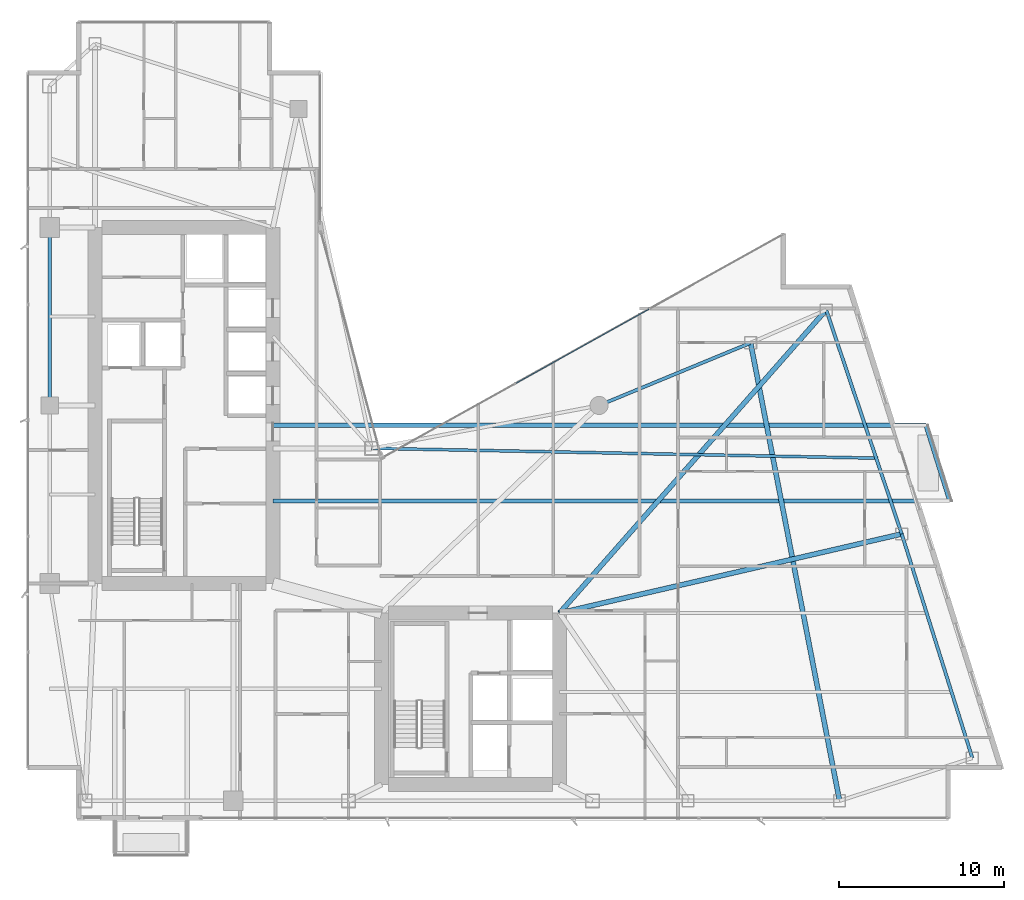
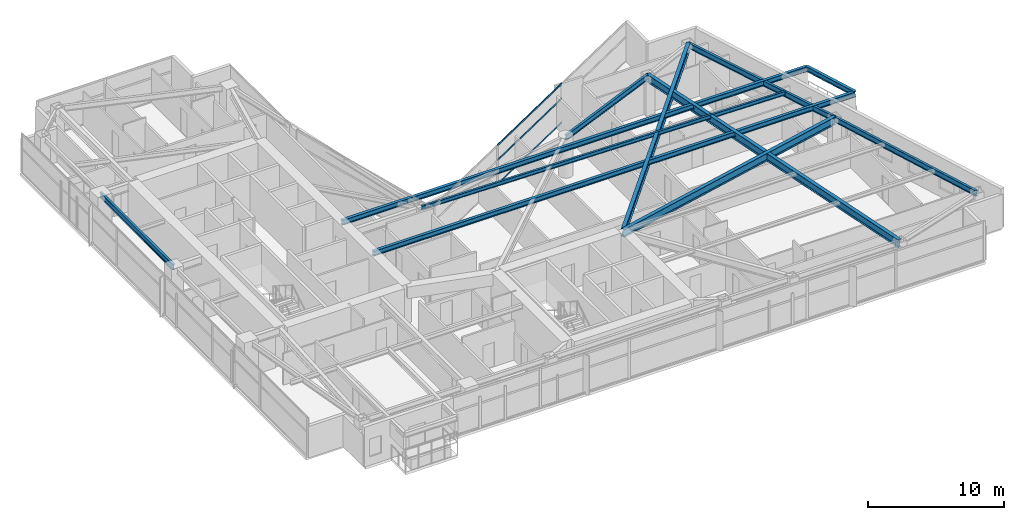
# One storey, part 15 of 28: 11 beams, 3 members, 1 element without a shape of its own.
"""IFC4 building model written with IfcOpenShell, lengths in metres."""

import ifcopenshell
import ifcopenshell.guid

model = None  # the IFC model being written
_history = None  # IfcOwnerHistory: only IFC2X3 demands one
_inside = {}  # id of a spatial element -> (the spatial element, [elements in it])
_under = {}  # id of a project, library or spatial element -> (it, [spatial elements below it])
_declared = {}  # id of a project -> (the project, [libraries it declares])
_typed = {}  # id of a type object -> (the type object, [elements of that type])
_made_of = {}  # id of a material, layer set ... -> (it, [elements and type objects made of it])


def new_model(schema):
    """Start an empty IFC model of exactly this schema.

    Asked for "IFC4X3", IfcOpenShell would pick the latest addendum, in which some entities
    have other attributes; the version numbers below select the first issue.
    IFC2X3 requires an IfcOwnerHistory on every rooted entity: one is made here for all.
    """
    global model, _history
    if schema == "IFC4X3":
        model = ifcopenshell.file(schema_version=(4, 3, 0, 0))
    else:
        model = ifcopenshell.file(schema=schema)
    _inside.clear()
    _under.clear()
    _declared.clear()
    _typed.clear()
    _made_of.clear()
    _history = None
    if model.schema == "IFC2X3":
        org = make("IfcOrganization", Name="unknown")
        user = make(
            "IfcPersonAndOrganization",
            ThePerson=make("IfcPerson", FamilyName="unknown"),
            TheOrganization=org,
        )
        app = make(
            "IfcApplication",
            ApplicationDeveloper=org,
            Version="unknown",
            ApplicationFullName="unknown",
            ApplicationIdentifier="unknown",
        )
        _history = make(
            "IfcOwnerHistory",
            OwningUser=user,
            OwningApplication=app,
            ChangeAction="ADDED",
            CreationDate=0,
        )
    return model


def make(cls, **values):
    """One entity of the class cls with the attributes given. An attribute that is None is left unset."""
    return model.create_entity(
        cls, **{name: value for name, value in values.items() if value is not None}
    )


def rooted(cls, **values):
    """An entity with a GlobalId (a new one), such as an element, a storey or a relation."""
    return make(cls, GlobalId=ifcopenshell.guid.new(), OwnerHistory=_history, **values)


def si_unit(unit_type, name, prefix=None):
    """IfcSIUnit, for example si_unit("LENGTHUNIT", "METRE", prefix="MILLI")."""
    return make("IfcSIUnit", UnitType=unit_type, Prefix=prefix, Name=name)


def assignment(units):
    """IfcUnitAssignment: the units of a project."""
    return None if units is None else make("IfcUnitAssignment", Units=units)


def point(xyz):
    """IfcCartesianPoint."""
    return None if xyz is None else make("IfcCartesianPoint", Coordinates=xyz)


def direction(xyz):
    """IfcDirection."""
    return None if xyz is None else make("IfcDirection", DirectionRatios=xyz)


def frame(location, z_axis=None, x_axis=None):
    """IfcAxis2Placement3D, a coordinate frame: its origin and axes. An axis left out is left unset."""
    return make(
        "IfcAxis2Placement3D",
        Location=point(location),
        Axis=direction(z_axis),
        RefDirection=direction(x_axis),
    )


def frame_2d(location, x_axis=None):
    """IfcAxis2Placement2D, a coordinate frame in the plane: its origin and x axis."""
    return make(
        "IfcAxis2Placement2D", Location=point(location), RefDirection=direction(x_axis)
    )


def origin():
    """The frame at (0, 0, 0) with its axes left unset."""
    return frame((0.0, 0.0, 0.0))


def origin_2d():
    """The frame at (0, 0) in the plane with its x axis left unset."""
    return frame_2d((0.0, 0.0))


def place(relative_to, where):
    """IfcLocalPlacement: puts the frame where relative to a parent placement (None: the world)."""
    return make(
        "IfcLocalPlacement", PlacementRelTo=relative_to, RelativePlacement=where
    )


def context(
    kind, dimensions, precision=None, world=None, true_north=None, identifier=None
):
    """IfcGeometricRepresentationContext, for example the 3D "Model" context."""
    return make(
        "IfcGeometricRepresentationContext",
        ContextIdentifier=identifier,
        ContextType=kind,
        CoordinateSpaceDimension=dimensions,
        Precision=precision,
        WorldCoordinateSystem=world,
        TrueNorth=true_north,
    )


def subcontext(parent, identifier, kind, view, scale=None):
    """IfcGeometricRepresentationSubContext, for example "Body" below "Model"."""
    return make(
        "IfcGeometricRepresentationSubContext",
        ContextIdentifier=identifier,
        ContextType=kind,
        ParentContext=parent,
        TargetScale=scale,
        TargetView=view,
    )


def project(units=None, contexts=None):
    """IfcProject with its units and contexts."""
    return rooted(
        "IfcProject",
        Name="project",
        RepresentationContexts=contexts,
        UnitsInContext=assignment(units),
    )


def spatial(cls, under=None, at=None, **own):
    """A site, building, storey or space (cls), placed at a placement, below another one or the project."""
    s = rooted(cls, ObjectPlacement=at, **own)
    if under is not None:
        _under.setdefault(under.id(), (under, []))[1].append(s)
    return s


def profile(cls, at=None, kind="AREA", **sizes):
    """A parametric profile (cls). Its sizes go by their IFC names, for example OverallWidth=200.0."""
    return make(cls, ProfileType=kind, Position=at, **sizes)


def hollow_rectangle(**sizes):
    """IfcRectangleHollowProfileDef."""
    return profile("IfcRectangleHollowProfileDef", **sizes)


def i_section(**sizes):
    """IfcIShapeProfileDef."""
    return profile("IfcIShapeProfileDef", **sizes)


def extrude(swept, where, along, depth):
    """IfcExtrudedAreaSolid: the profile swept, set in the frame where, extruded along a direction by depth."""
    return make(
        "IfcExtrudedAreaSolid",
        SweptArea=swept,
        Position=where,
        ExtrudedDirection=direction(along),
        Depth=depth,
    )


def shape(context_of_items, identifier, shape_type, items):
    """IfcShapeRepresentation: the items that make up one representation, for example the "Body"."""
    return make(
        "IfcShapeRepresentation",
        ContextOfItems=context_of_items,
        RepresentationIdentifier=identifier,
        RepresentationType=shape_type,
        Items=items,
    )


def material(Name=None, Category=None):
    """IfcMaterial."""
    return make("IfcMaterial", Name=Name, Category=Category)


def layer(
    of_material, thickness, ventilated=None, Name=None, Category=None, Priority=None
):
    """IfcMaterialLayer: one layer of a wall or slab, of a material (None: an air gap)."""
    return make(
        "IfcMaterialLayer",
        Material=of_material,
        LayerThickness=thickness,
        IsVentilated=ventilated,
        Name=Name,
        Category=Category,
        Priority=Priority,
    )


def layer_set(layers, Name=None):
    """IfcMaterialLayerSet."""
    return make("IfcMaterialLayerSet", MaterialLayers=layers, LayerSetName=Name)


def material_profile(
    of_material, cross_section, Name=None, Category=None, Priority=None
):
    """IfcMaterialProfile: a cross section and its material."""
    return make(
        "IfcMaterialProfile",
        Name=Name,
        Material=of_material,
        Profile=cross_section,
        Priority=Priority,
        Category=Category,
    )


def profile_set(profiles, Name=None, composite=None):
    """IfcMaterialProfileSet."""
    return make(
        "IfcMaterialProfileSet",
        Name=Name,
        MaterialProfiles=profiles,
        CompositeProfile=composite,
    )


def made_of(thing, what):
    """Note that an element or type object is made of a material, layer set ...; save() writes the relation."""
    if what is not None:
        _made_of.setdefault(what.id(), (what, []))[1].append(thing)
    return thing


def type_object(cls, material=None, **own):
    """A type object (cls), such as IfcWallType, which elements share."""
    return made_of(rooted(cls, **own), material)


def element(
    cls,
    number,
    at=None,
    inside=None,
    cuts=None,
    type_object=None,
    material=None,
    context=None,
    identifier="Body",
    shape_type=None,
    held_by="IfcProductDefinitionShape",
    body=None,
    shapes=None,
    **own,
):
    """One element of the class cls, such as IfcWall. Its Tag is "e" and its number.

    at: its placement. inside: the storey or other place that contains it. cuts: it is an
    opening in that element (IfcRelVoidsElement). A single representation is given by context,
    identifier, shape_type and body (its items); several are given by shapes. held_by: the class
    of the entity that holds the representations. save() writes the other relations.
    """
    e = rooted(cls, Tag="e%d" % number, ObjectPlacement=at, **own)
    if body is not None:
        shapes = [shape(context, identifier, shape_type, body)]
    if shapes is not None:
        e.Representation = make(held_by, Representations=shapes)
    if inside is not None:
        _inside.setdefault(inside.id(), (inside, []))[1].append(e)
    if cuts is not None:
        rooted(
            "IfcRelVoidsElement", RelatingBuildingElement=cuts, RelatedOpeningElement=e
        )
    if type_object is not None:
        _typed.setdefault(type_object.id(), (type_object, []))[1].append(e)
    return made_of(e, material)


def aggregate(whole, parts):
    """IfcRelAggregates: a whole, such as a stair, and the parts it consists of."""
    return rooted("IfcRelAggregates", RelatingObject=whole, RelatedObjects=parts)


def save(model, path):
    """Write the relations noted so far, then the file.

    IfcRelAggregates (storeys below a building ...), IfcRelContainedInSpatialStructure (elements
    in a storey), IfcRelDefinesByType, IfcRelAssociatesMaterial and IfcRelDeclares: one each for
    every whole, place, type object, material and project.
    """
    for whole, parts in _under.values():
        aggregate(whole, parts)
    for where, things in _inside.values():
        rooted(
            "IfcRelContainedInSpatialStructure",
            RelatedElements=things,
            RelatingStructure=where,
        )
    for kind, things in _typed.values():
        rooted("IfcRelDefinesByType", RelatedObjects=things, RelatingType=kind)
    for what, things in _made_of.values():
        rooted("IfcRelAssociatesMaterial", RelatedObjects=things, RelatingMaterial=what)
    for by, libraries in _declared.values():
        rooted("IfcRelDeclares", RelatingContext=by, RelatedDefinitions=libraries)
    model.write(path)


model = new_model("IFC4")

# Units and contexts
model_context = context("Model", 3, precision=1e-05, world=origin(), true_north=direction((0.0, 1.0)))
body_context = subcontext(model_context, "Body", "Model", "MODEL_VIEW")
ifc_project = project(units=[si_unit("LENGTHUNIT", "METRE"), si_unit("AREAUNIT", "SQUARE_METRE"), si_unit("VOLUMEUNIT", "CUBIC_METRE"), si_unit("PLANEANGLEUNIT", "RADIAN"), si_unit("MASSUNIT", "GRAM", prefix="KILO")], contexts=[model_context])

# Site, building, storey
site_placement = place(None, origin())
site = spatial("IfcSite", under=ifc_project, at=site_placement, CompositionType="ELEMENT")
building_placement = place(site_placement, origin())
building = spatial("IfcBuilding", under=site, at=building_placement, Name="Calvorn Quay Hotel", CompositionType="ELEMENT")
storey_placement = place(building_placement, frame((0.0, 0.0, 112.60009765625)))
storey = spatial("IfcBuildingStorey", under=building, at=storey_placement, Name="L27", CompositionType="ELEMENT", Elevation=112.60009765625)

# Beams
ifc_material_1 = material(Name="Steel Q355B", Category="steel")
ifc_material_profile_1 = material_profile(ifc_material_1, i_section(OverallWidth=0.25, OverallDepth=0.449951171875, WebThickness=0.011962890625, FlangeThickness=0.01611328125, FilletRadius=0.01611328125, at=origin_2d()), Name="HN450x250x12x16")
ifc_profile_set_1 = profile_set([ifc_material_profile_1], Name="Steel Q355B")
beam_type_1 = type_object("IfcBeamType", Name="BM-CANT-BALC", PredefinedType="BEAM", material=ifc_profile_set_1)
beam_1_placement = place(storey_placement, frame((15.0, 21.800048828125, 3.31494140625), z_axis=(1.0, 0.0, 0.0), x_axis=(0.0, 1.0, 0.0)))
element("IfcBeam", 1, at=beam_1_placement, inside=storey, type_object=beam_type_1, Name="Cantilever Balcony Beam BCB-L28-1A", PredefinedType="BEAM", context=body_context, shape_type="SweptSolid", body=[
    extrude(i_section(OverallWidth=0.25, OverallDepth=0.449951171875, WebThickness=0.011962890625, FlangeThickness=0.01611328125, FilletRadius=0.01611328125, at=origin_2d()), origin(), (0.0, 0.0, 1.0), 41.0859375),
])
beam_2_placement = place(storey_placement, frame((15.0, 26.39990234375, 3.31494140625), z_axis=(1.0, 0.0, 0.0), x_axis=(0.0, 1.0, 0.0)))
element("IfcBeam", 2, at=beam_2_placement, inside=storey, type_object=beam_type_1, Name="Cantilever Balcony Beam BCB-L28-1B", PredefinedType="BEAM", context=body_context, shape_type="SweptSolid", body=[
    extrude(i_section(OverallWidth=0.25, OverallDepth=0.449951171875, WebThickness=0.011962890625, FlangeThickness=0.01611328125, FilletRadius=0.01611328125, at=origin_2d()), origin(), (0.0, 0.0, 1.0), 39.636962890625),
])
beam_3_placement = place(storey_placement, frame((56.0859375, 21.800048828125, 3.31494140625), z_axis=(-0.300450487966, 0.953797412599, 0.0), x_axis=(-0.953797412599, -0.300450487966, 0.0)))
element("IfcBeam", 3, at=beam_3_placement, inside=storey, type_object=beam_type_1, Name="Beam BCBO-L28-1", PredefinedType="BEAM", context=body_context, shape_type="SweptSolid", body=[
    extrude(i_section(OverallWidth=0.25, OverallDepth=0.449951171875, WebThickness=0.011962890625, FlangeThickness=0.01611328125, FilletRadius=0.01611328125, at=origin_2d()), origin(), (0.0, 0.0, 1.0), 4.82275390625),
])
ifc_material_2 = material(Name="Steel Q390GJC", Category="steel")
ifc_material_profile_2 = material_profile(ifc_material_2, i_section(OverallWidth=0.300048828125, OverallDepth=0.699951171875, WebThickness=0.012939453125, FlangeThickness=0.02392578125, FilletRadius=0.02392578125, at=origin_2d()), Name="HN700x300x13x24")
ifc_profile_set_2 = profile_set([ifc_material_profile_2], Name="Steel Q390GJC")
beam_type_2 = type_object("IfcBeamType", Name="BM-GIRD-MAIN", PredefinedType="BEAM", material=ifc_profile_set_2)
beam_4_placement = place(storey_placement, frame((32.39990234375, 15.0, 3.18994140625), z_axis=(0.974334045812, 0.225107012711, 0.0), x_axis=(-0.225107012711, 0.974334045812, 0.0)))
element("IfcBeam", 4, at=beam_4_placement, inside=storey, type_object=beam_type_2, Name="Beam BG-L27-E2", PredefinedType="BEAM", context=body_context, shape_type="SweptSolid", body=[
    extrude(i_section(OverallWidth=0.300048828125, OverallDepth=0.699951171875, WebThickness=0.012939453125, FlangeThickness=0.02392578125, FilletRadius=0.02392578125, at=origin_2d()), origin(), (0.0, 0.0, 1.0), 21.323486328125),
])
beam_5_placement = place(storey_placement, frame((32.39990234375, 15.0, 3.18994140625), z_axis=(0.660610604248, 0.750728732336, 0.0), x_axis=(-0.750728732336, 0.660610604248, 0.0)))
element("IfcBeam", 5, at=beam_5_placement, inside=storey, type_object=beam_type_2, Name="Beam BG-L27-E3", PredefinedType="BEAM", context=body_context, shape_type="SweptSolid", body=[
    extrude(i_section(OverallWidth=0.300048828125, OverallDepth=0.699951171875, WebThickness=0.012939453125, FlangeThickness=0.02392578125, FilletRadius=0.02392578125, at=origin_2d()), origin(), (0.0, 0.0, 1.0), 24.50927734375),
])
beam_6_placement = place(storey_placement, frame((49.39990234375, 3.60009765625, 3.18994140625), z_axis=(-0.190678596862, 0.981652521363, 0.0), x_axis=(-0.981652521363, -0.190678596862, 0.0)))
element("IfcBeam", 6, at=beam_6_placement, inside=storey, type_object=beam_type_2, Name="Beam BG-L27-E5", PredefinedType="BEAM", context=body_context, shape_type="SweptSolid", body=[
    extrude(i_section(OverallWidth=0.300048828125, OverallDepth=0.699951171875, WebThickness=0.012939453125, FlangeThickness=0.02392578125, FilletRadius=0.02392578125, at=origin_2d()), origin(), (0.0, 0.0, 1.0), 28.3193359375),
])
ifc_material_3 = material(Name="Steel Q355B", Category="steel")
ifc_material_profile_3 = material_profile(ifc_material_3, i_section(OverallWidth=0.175048828125, OverallDepth=0.35009765625, WebThickness=0.007080078125, FlangeThickness=0.010986328125, FilletRadius=0.013916015625, at=origin_2d()), Name="HN350x175x7x11")
ifc_profile_set_3 = profile_set([ifc_material_profile_3], Name="Steel Q355B")
beam_type_3 = type_object("IfcBeamType", Name="BM-JOIST-SEC", PredefinedType="JOIST", material=ifc_profile_set_3)
beam_7_placement = place(storey_placement, frame((21.0, 25.0, 3.364990234375), z_axis=(0.999809345134, -0.019526222968, 0.0), x_axis=(0.019526222968, 0.999809345134, 0.0)))
element("IfcBeam", 7, at=beam_7_placement, inside=storey, type_object=beam_type_3, Name="Beam BJ-L27-E3", PredefinedType="JOIST", context=body_context, shape_type="SweptSolid", body=[
    extrude(i_section(OverallWidth=0.175048828125, OverallDepth=0.35009765625, WebThickness=0.007080078125, FlangeThickness=0.010986328125, FilletRadius=0.013916015625, at=origin_2d()), origin(), (0.0, 0.0, 1.0), 30.73291015625),
])
ifc_material_4 = material(Name="Steel Q355B", Category="steel")
ifc_material_profile_4 = material_profile(ifc_material_4, i_section(OverallWidth=0.199951171875, OverallDepth=0.5, WebThickness=0.010009765625, FlangeThickness=0.01611328125, FilletRadius=0.01611328125, at=origin_2d()), Name="HN500x200x10x16")
ifc_profile_set_4 = profile_set([ifc_material_profile_4], Name="Steel Q355B")
beam_type_4 = type_object("IfcBeamType", Name="BM-SPANDREL-Z1", PredefinedType="SPANDREL", material=ifc_profile_set_4)
beam_8_placement = place(storey_placement, frame((1.449951171875, 27.60009765625, 3.289794921875), z_axis=(0.0, 1.0, 0.0), x_axis=(-1.0, 0.0, 0.0)))
element("IfcBeam", 8, at=beam_8_placement, inside=storey, type_object=beam_type_4, Name="Beam BSP-L27-W3", PredefinedType="SPANDREL", context=body_context, shape_type="SweptSolid", body=[
    extrude(i_section(OverallWidth=0.199951171875, OverallDepth=0.5, WebThickness=0.010009765625, FlangeThickness=0.01611328125, FilletRadius=0.01611328125, at=origin_2d()), origin(), (0.0, 0.0, 1.0), 10.7998046875),
])
beam_9_placement = place(storey_placement, frame((57.4609375, 6.199951171875, 3.289794921875), z_axis=(-0.300502802767, 0.953780931624, 0.0), x_axis=(-0.953780931624, -0.300502802767, 0.0)))
element("IfcBeam", 9, at=beam_9_placement, inside=storey, type_object=beam_type_4, Name="Beam BSP-L27-E1", PredefinedType="SPANDREL", context=body_context, shape_type="SweptSolid", body=[
    extrude(i_section(OverallWidth=0.199951171875, OverallDepth=0.5, WebThickness=0.010009765625, FlangeThickness=0.01611328125, FilletRadius=0.01611328125, at=origin_2d()), origin(), (0.0, 0.0, 1.0), 14.259033203125),
])
beam_10_placement = place(storey_placement, frame((53.176025390625, 19.800048828125, 3.289794921875), z_axis=(-0.319466515944, 0.947597564998, 0.0), x_axis=(-0.947597564998, -0.319466515944, 0.0)))
element("IfcBeam", 10, at=beam_10_placement, inside=storey, type_object=beam_type_4, Name="Beam BSP-L27-E2", PredefinedType="SPANDREL", context=body_context, shape_type="SweptSolid", body=[
    extrude(i_section(OverallWidth=0.199951171875, OverallDepth=0.5, WebThickness=0.010009765625, FlangeThickness=0.01611328125, FilletRadius=0.01611328125, at=origin_2d()), origin(), (0.0, 0.0, 1.0), 14.35205078125),
])
beam_11_placement = place(storey_placement, frame((44.0, 31.39990234375, 3.289794921875), z_axis=(-0.92426763497, -0.381745123017, 0.0), x_axis=(0.381745123017, -0.92426763497, 0.0)))
element("IfcBeam", 11, at=beam_11_placement, inside=storey, type_object=beam_type_4, Name="Beam BSP-L27-E4", PredefinedType="SPANDREL", context=body_context, shape_type="SweptSolid", body=[
    extrude(i_section(OverallWidth=0.199951171875, OverallDepth=0.5, WebThickness=0.010009765625, FlangeThickness=0.01611328125, FilletRadius=0.01611328125, at=origin_2d()), origin(), (0.0, 0.0, 1.0), 9.953857421875),
])

# Curtain wall, members
ifc_material_5 = material(Name="Pale Anodised Aluminium and Low-E Glass", Category="aluminium")
ifc_layer = layer(ifc_material_5, 0.219970703125)
ifc_layer_set = layer_set([ifc_layer], Name="CW-SYS-Z2")
curtain_wall_type = type_object("IfcCurtainWallType", Name="CW-SYS-Z2", PredefinedType="NOTDEFINED", material=ifc_layer_set)
curtain_wall_placement = place(storey_placement, origin())
curtain_wall = element("IfcCurtainWall", 12, at=curtain_wall_placement, inside=storey, type_object=curtain_wall_type, Name="Inner Court Curtain Wall L27-NE1", PredefinedType="NOTDEFINED")
ifc_material_6 = material(Name="Pale Anodised Aluminium 6063-T6", Category="aluminium")
ifc_material_profile_5 = material_profile(ifc_material_6, hollow_rectangle(XDim=0.06005859375, YDim=0.14990234375, WallThickness=0.00341796875, at=origin_2d()), Name="ALU-T150x60x3.5")
ifc_profile_set_5 = profile_set([ifc_material_profile_5], Name="Pale Anodised Aluminium 6063-T6")
member_type = type_object("IfcMemberType", Name="CW-SYS-Z2-TRN", PredefinedType="USERDEFINED", material=ifc_profile_set_5)
member_1_placement = place(storey_placement, frame((37.840576171875, 33.4521484375, 0.02978515625), z_axis=(-0.873483012802, -0.486854625474, 0.0), x_axis=(0.486854625474, -0.873483012802, 0.0)))
member_1 = element("IfcMember", 13, at=member_1_placement, type_object=member_type, Name="CW-L27-NE1 transom 2.1", ObjectType="TRANSOM", PredefinedType="USERDEFINED", context=body_context, shape_type="SweptSolid", body=[
    extrude(hollow_rectangle(XDim=0.06005859375, YDim=0.14990234375, WallThickness=0.00341796875, at=origin_2d()), origin(), (0.0, 0.0, 1.0), 9.25146484375),
])
member_2_placement = place(storey_placement, frame((37.840576171875, 33.4521484375, 2.199951171875), z_axis=(-0.873483012802, -0.486854625474, 0.0), x_axis=(0.486854625474, -0.873483012802, 0.0)))
member_2 = element("IfcMember", 14, at=member_2_placement, type_object=member_type, Name="CW-L27-NE1 transom 2.2", ObjectType="TRANSOM", PredefinedType="USERDEFINED", context=body_context, shape_type="SweptSolid", body=[
    extrude(hollow_rectangle(XDim=0.06005859375, YDim=0.14990234375, WallThickness=0.00341796875, at=origin_2d()), origin(), (0.0, 0.0, 1.0), 9.25146484375),
])
member_3_placement = place(storey_placement, frame((37.840576171875, 33.4521484375, 3.52978515625), z_axis=(-0.873483012802, -0.486854625474, 0.0), x_axis=(0.486854625474, -0.873483012802, 0.0)))
member_3 = element("IfcMember", 15, at=member_3_placement, type_object=member_type, Name="CW-L27-NE1 transom 2.3", ObjectType="TRANSOM", PredefinedType="USERDEFINED", context=body_context, shape_type="SweptSolid", body=[
    extrude(hollow_rectangle(XDim=0.06005859375, YDim=0.14990234375, WallThickness=0.00341796875, at=origin_2d()), origin(), (0.0, 0.0, 1.0), 9.25146484375),
])
aggregate(curtain_wall, [member_1, member_2, member_3])

save(model, "model.ifc")
